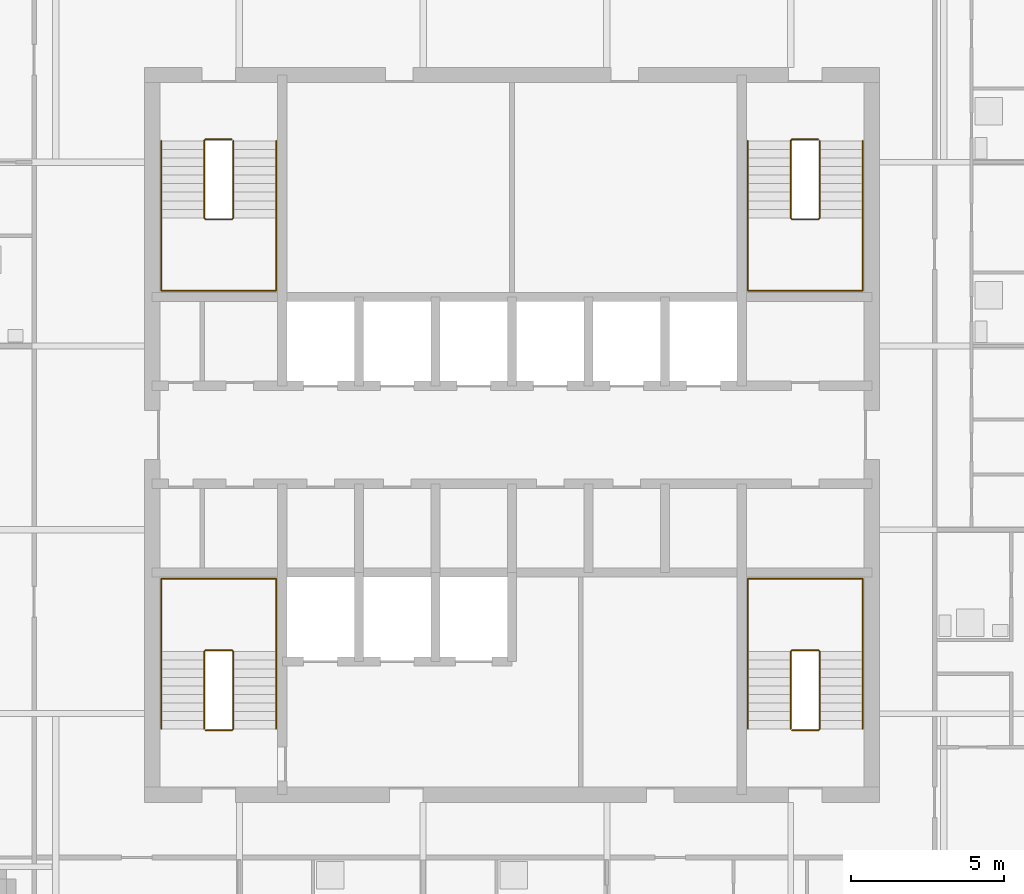
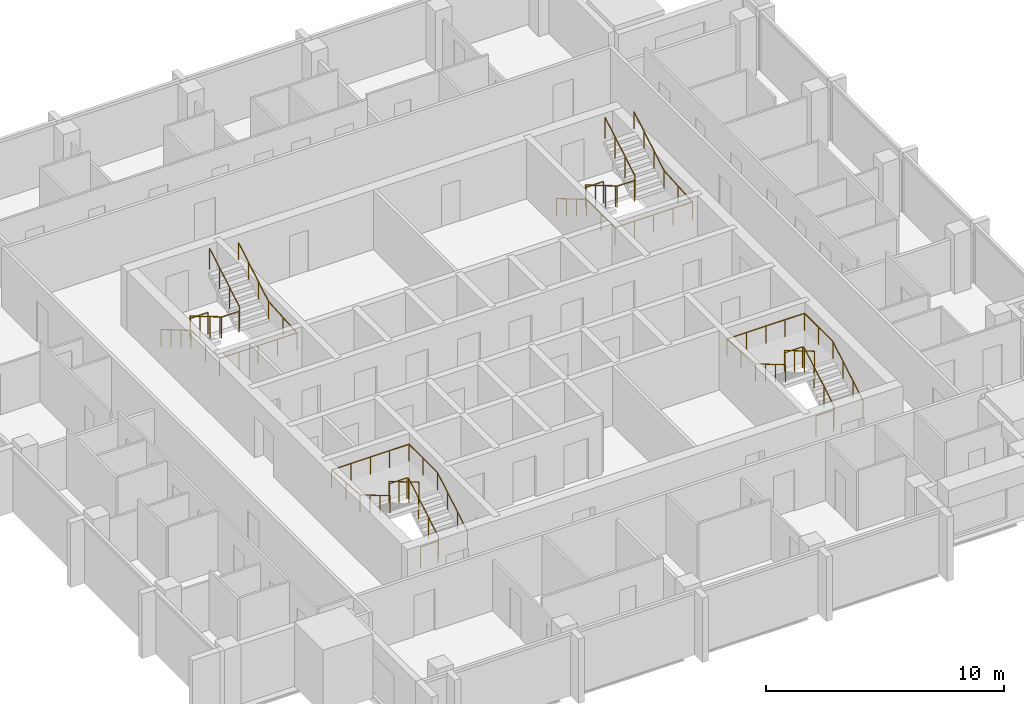
# One storey, part 9 of 10: 8 railings.
"""IFC4 building model written with IfcOpenShell, lengths in metres."""

from ifc_helpers import new_model, si_unit, direction, frame, origin, origin_2d, place, context, subcontext, project, spatial, circle, extrude, material, type_object, element, save


model = new_model("IFC4")

# Units and contexts
model_context = context("Model", 3, precision=1e-05, world=origin(), true_north=direction((0.0, 1.0)))
body_context = subcontext(model_context, "Body", "Model", "MODEL_VIEW")
ifc_project = project(units=[si_unit("LENGTHUNIT", "METRE"), si_unit("AREAUNIT", "SQUARE_METRE"), si_unit("VOLUMEUNIT", "CUBIC_METRE"), si_unit("PLANEANGLEUNIT", "RADIAN"), si_unit("MASSUNIT", "GRAM", prefix="KILO")], contexts=[model_context])

# Site, building, storey
site_placement = place(None, origin())
site = spatial("IfcSite", under=ifc_project, at=site_placement, CompositionType="ELEMENT")
building_placement = place(site_placement, origin())
building = spatial("IfcBuilding", under=site, at=building_placement, Name="Amberfall Residences", CompositionType="ELEMENT")
storey_placement = place(building_placement, frame((0.0, 0.0, 275.199951171875)))
storey = spatial("IfcBuildingStorey", under=building, at=storey_placement, Name="L74", CompositionType="ELEMENT", Elevation=275.199951171875)

# Railings
ifc_material = material(Name="Stainless steel 316", Category="steel")
railing_type_1 = type_object("IfcRailingType", Name="Stair guard 1100", PredefinedType="GUARDRAIL", material=ifc_material)
railing_1_placement = place(storey_placement, frame((64.5, 35.85009765625, 0.0)))
element("IfcRailing", 1, at=railing_1_placement, inside=storey, type_object=railing_type_1, Name="L74 stair 1 guard", PredefinedType="GUARDRAIL", context=body_context, shape_type="SweptSolid", body=[
    extrude(circle(Radius=0.02392578125, at=origin_2d()), frame((0.0, 0.0, 1.076171875), z_axis=(1.0, 0.0, 0.0), x_axis=(0.0, 1.0, 0.0)), (0.0, 0.0, 1.0), 0.85009765625),
    extrude(circle(Radius=0.02392578125, at=origin_2d()), frame((0.85009765625, 0.0, 1.076171875), z_axis=(0.27755538755, 0.27755538755, 0.919742362667), x_axis=(-0.707106781187, 0.707106781187, 0.0)), (0.0, 0.0, 1.0), 0.179443359375),
    extrude(circle(Radius=0.02392578125, at=origin_2d()), frame((0.89990234375, 0.0498046875, 1.2412109375), z_axis=(0.0, 0.86152411907, 0.507716645641), x_axis=(-1.0, 0.0, 0.0)), (0.0, 0.0, 1.0), 2.925048828125),
    extrude(circle(Radius=0.02392578125, at=origin_2d()), frame((0.89990234375, 2.56982421875, 2.72607421875), z_axis=(-0.705375805398, 0.708833529934, 0.0), x_axis=(-0.708833529934, -0.705375805398, 0.0)), (0.0, 0.0, 1.0), 0.070556640625),
    extrude(circle(Radius=0.02392578125, at=origin_2d()), frame((0.85009765625, 2.619873046875, 2.72607421875), z_axis=(-1.0, 0.0, 0.0), x_axis=(0.0, -1.0, 0.0)), (0.0, 0.0, 1.0), 0.85009765625),
    extrude(circle(Radius=0.02392578125, at=origin_2d()), frame((0.0, 2.619873046875, 2.72607421875), z_axis=(-0.279053652268, -0.279053652268, 0.918835196492), x_axis=(0.707106781187, -0.707106781187, 0.0)), (0.0, 0.0, 1.0), 0.179443359375),
    extrude(circle(Radius=0.02392578125, at=origin_2d()), frame((-0.050048828125, 2.56982421875, 2.89111328125), z_axis=(0.0, -0.86152411907, 0.507716645641), x_axis=(1.0, 0.0, 0.0)), (0.0, 0.0, 1.0), 2.925048828125),
    extrude(circle(Radius=0.02099609375, at=origin_2d()), origin(), (0.0, 0.0, 1.0), 1.052001953125),
    extrude(circle(Radius=0.02099609375, at=origin_2d()), frame((0.85009765625, 0.0, 0.0)), (0.0, 0.0, 1.0), 1.052001953125),
    extrude(circle(Radius=0.02099609375, at=origin_2d()), frame((0.89990234375, 0.0498046875, 0.1650390625)), (0.0, 0.0, 1.0), 1.052001953125),
    extrude(circle(Radius=0.02099609375, at=origin_2d()), frame((0.89990234375, 0.889892578125, 0.66015625)), (0.0, 0.0, 1.0), 1.052001953125),
    extrude(circle(Radius=0.02099609375, at=origin_2d()), frame((0.89990234375, 1.729736328125, 1.155029296875)), (0.0, 0.0, 1.0), 1.052001953125),
    extrude(circle(Radius=0.02099609375, at=origin_2d()), frame((0.89990234375, 2.56982421875, 1.650146484375)), (0.0, 0.0, 1.0), 1.052001953125),
    extrude(circle(Radius=0.02099609375, at=origin_2d()), frame((0.85009765625, 2.619873046875, 1.650146484375)), (0.0, 0.0, 1.0), 1.052001953125),
    extrude(circle(Radius=0.02099609375, at=origin_2d()), frame((0.0, 2.619873046875, 1.650146484375)), (0.0, 0.0, 1.0), 1.052001953125),
    extrude(circle(Radius=0.02099609375, at=origin_2d()), frame((-0.050048828125, 2.56982421875, 1.81494140625)), (0.0, 0.0, 1.0), 1.052001953125),
    extrude(circle(Radius=0.02099609375, at=origin_2d()), frame((-0.050048828125, 1.729736328125, 2.31005859375)), (0.0, 0.0, 1.0), 1.052001953125),
    extrude(circle(Radius=0.02099609375, at=origin_2d()), frame((-0.050048828125, 0.889892578125, 2.804931640625)), (0.0, 0.0, 1.0), 1.052001953125),
    extrude(circle(Radius=0.02099609375, at=origin_2d()), frame((-0.050048828125, 0.0498046875, 3.300048828125)), (0.0, 0.0, 1.0), 1.052001953125),
])
railing_2_placement = place(storey_placement, frame((83.64990234375, 35.85009765625, 0.0)))
element("IfcRailing", 2, at=railing_2_placement, inside=storey, type_object=railing_type_1, Name="L74 stair 2 guard", PredefinedType="GUARDRAIL", context=body_context, shape_type="SweptSolid", body=[
    extrude(circle(Radius=0.02392578125, at=origin_2d()), frame((0.0, 0.0, 1.076171875), z_axis=(1.0, 0.0, 0.0), x_axis=(0.0, 1.0, 0.0)), (0.0, 0.0, 1.0), 0.85009765625),
    extrude(circle(Radius=0.02392578125, at=origin_2d()), frame((0.85009765625, 0.0, 1.076171875), z_axis=(0.278810427259, 0.277450376394, 0.919394384522), x_axis=(-0.705375805398, 0.708833529934, 0.0)), (0.0, 0.0, 1.0), 0.179443359375),
    extrude(circle(Radius=0.02392578125, at=origin_2d()), frame((0.900146484375, 0.0498046875, 1.2412109375), z_axis=(0.0, 0.86152411907, 0.507716645641), x_axis=(-1.0, 0.0, 0.0)), (0.0, 0.0, 1.0), 2.925048828125),
    extrude(circle(Radius=0.02392578125, at=origin_2d()), frame((0.900146484375, 2.56982421875, 2.72607421875), z_axis=(-0.707106781187, 0.707106781187, 0.0), x_axis=(-0.707106781187, -0.707106781187, 0.0)), (0.0, 0.0, 1.0), 0.07080078125),
    extrude(circle(Radius=0.02392578125, at=origin_2d()), frame((0.85009765625, 2.619873046875, 2.72607421875), z_axis=(-1.0, 0.0, 0.0), x_axis=(0.0, -1.0, 0.0)), (0.0, 0.0, 1.0), 0.85009765625),
    extrude(circle(Radius=0.02392578125, at=origin_2d()), frame((0.0, 2.619873046875, 2.72607421875), z_axis=(-0.277797701265, -0.279159454702, 0.919183570361), x_axis=(0.708833529934, -0.705375805398, 0.0)), (0.0, 0.0, 1.0), 0.17919921875),
    extrude(circle(Radius=0.02392578125, at=origin_2d()), frame((-0.0498046875, 2.56982421875, 2.89111328125), z_axis=(0.0, -0.86152411907, 0.507716645641), x_axis=(1.0, 0.0, 0.0)), (0.0, 0.0, 1.0), 2.925048828125),
    extrude(circle(Radius=0.02099609375, at=origin_2d()), origin(), (0.0, 0.0, 1.0), 1.052001953125),
    extrude(circle(Radius=0.02099609375, at=origin_2d()), frame((0.85009765625, 0.0, 0.0)), (0.0, 0.0, 1.0), 1.052001953125),
    extrude(circle(Radius=0.02099609375, at=origin_2d()), frame((0.900146484375, 0.0498046875, 0.1650390625)), (0.0, 0.0, 1.0), 1.052001953125),
    extrude(circle(Radius=0.02099609375, at=origin_2d()), frame((0.900146484375, 0.889892578125, 0.66015625)), (0.0, 0.0, 1.0), 1.052001953125),
    extrude(circle(Radius=0.02099609375, at=origin_2d()), frame((0.900146484375, 1.729736328125, 1.155029296875)), (0.0, 0.0, 1.0), 1.052001953125),
    extrude(circle(Radius=0.02099609375, at=origin_2d()), frame((0.900146484375, 2.56982421875, 1.650146484375)), (0.0, 0.0, 1.0), 1.052001953125),
    extrude(circle(Radius=0.02099609375, at=origin_2d()), frame((0.85009765625, 2.619873046875, 1.650146484375)), (0.0, 0.0, 1.0), 1.052001953125),
    extrude(circle(Radius=0.02099609375, at=origin_2d()), frame((0.0, 2.619873046875, 1.650146484375)), (0.0, 0.0, 1.0), 1.052001953125),
    extrude(circle(Radius=0.02099609375, at=origin_2d()), frame((-0.0498046875, 2.56982421875, 1.81494140625)), (0.0, 0.0, 1.0), 1.052001953125),
    extrude(circle(Radius=0.02099609375, at=origin_2d()), frame((-0.0498046875, 1.729736328125, 2.31005859375)), (0.0, 0.0, 1.0), 1.052001953125),
    extrude(circle(Radius=0.02099609375, at=origin_2d()), frame((-0.0498046875, 0.889892578125, 2.804931640625)), (0.0, 0.0, 1.0), 1.052001953125),
    extrude(circle(Radius=0.02099609375, at=origin_2d()), frame((-0.0498046875, 0.0498046875, 3.300048828125)), (0.0, 0.0, 1.0), 1.052001953125),
])
railing_3_placement = place(storey_placement, frame((84.5, 55.14990234375, 0.0)))
element("IfcRailing", 3, at=railing_3_placement, inside=storey, type_object=railing_type_1, Name="L74 stair 3 guard", PredefinedType="GUARDRAIL", context=body_context, shape_type="SweptSolid", body=[
    extrude(circle(Radius=0.02392578125, at=origin_2d()), frame((0.0, 0.0, 1.076171875), z_axis=(-1.0, 0.0, 0.0), x_axis=(0.0, -1.0, 0.0)), (0.0, 0.0, 1.0), 0.85009765625),
    extrude(circle(Radius=0.02392578125, at=origin_2d()), frame((-0.85009765625, 0.0, 1.076171875), z_axis=(-0.27755538755, -0.27755538755, 0.919742362667), x_axis=(0.707106781187, -0.707106781187, 0.0)), (0.0, 0.0, 1.0), 0.179443359375),
    extrude(circle(Radius=0.02392578125, at=origin_2d()), frame((-0.89990234375, -0.0498046875, 1.2412109375), z_axis=(0.0, -0.86152411907, 0.507716645641), x_axis=(1.0, 0.0, 0.0)), (0.0, 0.0, 1.0), 2.925048828125),
    extrude(circle(Radius=0.02392578125, at=origin_2d()), frame((-0.89990234375, -2.56982421875, 2.72607421875), z_axis=(0.705375805398, -0.708833529934, 0.0), x_axis=(0.708833529934, 0.705375805398, 0.0)), (0.0, 0.0, 1.0), 0.070556640625),
    extrude(circle(Radius=0.02392578125, at=origin_2d()), frame((-0.85009765625, -2.619873046875, 2.72607421875), z_axis=(1.0, 0.0, 0.0), x_axis=(0.0, 1.0, 0.0)), (0.0, 0.0, 1.0), 0.85009765625),
    extrude(circle(Radius=0.02392578125, at=origin_2d()), frame((0.0, -2.619873046875, 2.72607421875), z_axis=(0.279053652268, 0.279053652268, 0.918835196492), x_axis=(-0.707106781187, 0.707106781187, 0.0)), (0.0, 0.0, 1.0), 0.179443359375),
    extrude(circle(Radius=0.02392578125, at=origin_2d()), frame((0.050048828125, -2.56982421875, 2.89111328125), z_axis=(0.0, 0.86152411907, 0.507716645641), x_axis=(-1.0, 0.0, 0.0)), (0.0, 0.0, 1.0), 2.925048828125),
    extrude(circle(Radius=0.02099609375, at=origin_2d()), origin(), (0.0, 0.0, 1.0), 1.052001953125),
    extrude(circle(Radius=0.02099609375, at=origin_2d()), frame((-0.85009765625, 0.0, 0.0)), (0.0, 0.0, 1.0), 1.052001953125),
    extrude(circle(Radius=0.02099609375, at=origin_2d()), frame((-0.89990234375, -0.0498046875, 0.1650390625)), (0.0, 0.0, 1.0), 1.052001953125),
    extrude(circle(Radius=0.02099609375, at=origin_2d()), frame((-0.89990234375, -0.889892578125, 0.66015625)), (0.0, 0.0, 1.0), 1.052001953125),
    extrude(circle(Radius=0.02099609375, at=origin_2d()), frame((-0.89990234375, -1.729736328125, 1.155029296875)), (0.0, 0.0, 1.0), 1.052001953125),
    extrude(circle(Radius=0.02099609375, at=origin_2d()), frame((-0.89990234375, -2.56982421875, 1.650146484375)), (0.0, 0.0, 1.0), 1.052001953125),
    extrude(circle(Radius=0.02099609375, at=origin_2d()), frame((-0.85009765625, -2.619873046875, 1.650146484375)), (0.0, 0.0, 1.0), 1.052001953125),
    extrude(circle(Radius=0.02099609375, at=origin_2d()), frame((0.0, -2.619873046875, 1.650146484375)), (0.0, 0.0, 1.0), 1.052001953125),
    extrude(circle(Radius=0.02099609375, at=origin_2d()), frame((0.050048828125, -2.56982421875, 1.81494140625)), (0.0, 0.0, 1.0), 1.052001953125),
    extrude(circle(Radius=0.02099609375, at=origin_2d()), frame((0.050048828125, -1.729736328125, 2.31005859375)), (0.0, 0.0, 1.0), 1.052001953125),
    extrude(circle(Radius=0.02099609375, at=origin_2d()), frame((0.050048828125, -0.889892578125, 2.804931640625)), (0.0, 0.0, 1.0), 1.052001953125),
    extrude(circle(Radius=0.02099609375, at=origin_2d()), frame((0.050048828125, -0.0498046875, 3.300048828125)), (0.0, 0.0, 1.0), 1.052001953125),
])
railing_4_placement = place(storey_placement, frame((65.35009765625, 55.14990234375, 0.0)))
element("IfcRailing", 4, at=railing_4_placement, inside=storey, type_object=railing_type_1, Name="L74 stair 4 guard", PredefinedType="GUARDRAIL", context=body_context, shape_type="SweptSolid", body=[
    extrude(circle(Radius=0.02392578125, at=origin_2d()), frame((0.0, 0.0, 1.076171875), z_axis=(-1.0, 0.0, 0.0), x_axis=(0.0, -1.0, 0.0)), (0.0, 0.0, 1.0), 0.85009765625),
    extrude(circle(Radius=0.02392578125, at=origin_2d()), frame((-0.85009765625, 0.0, 1.076171875), z_axis=(-0.278810427259, -0.277450376394, 0.919394384522), x_axis=(0.705375805398, -0.708833529934, 0.0)), (0.0, 0.0, 1.0), 0.179443359375),
    extrude(circle(Radius=0.02392578125, at=origin_2d()), frame((-0.900146484375, -0.0498046875, 1.2412109375), z_axis=(0.0, -0.86152411907, 0.507716645641), x_axis=(1.0, 0.0, 0.0)), (0.0, 0.0, 1.0), 2.925048828125),
    extrude(circle(Radius=0.02392578125, at=origin_2d()), frame((-0.900146484375, -2.56982421875, 2.72607421875), z_axis=(0.707106781187, -0.707106781187, 0.0), x_axis=(0.707106781187, 0.707106781187, 0.0)), (0.0, 0.0, 1.0), 0.07080078125),
    extrude(circle(Radius=0.02392578125, at=origin_2d()), frame((-0.85009765625, -2.619873046875, 2.72607421875), z_axis=(1.0, 0.0, 0.0), x_axis=(0.0, 1.0, 0.0)), (0.0, 0.0, 1.0), 0.85009765625),
    extrude(circle(Radius=0.02392578125, at=origin_2d()), frame((0.0, -2.619873046875, 2.72607421875), z_axis=(0.277797701265, 0.279159454702, 0.919183570361), x_axis=(-0.708833529934, 0.705375805398, 0.0)), (0.0, 0.0, 1.0), 0.17919921875),
    extrude(circle(Radius=0.02392578125, at=origin_2d()), frame((0.0498046875, -2.56982421875, 2.89111328125), z_axis=(0.0, 0.86152411907, 0.507716645641), x_axis=(-1.0, 0.0, 0.0)), (0.0, 0.0, 1.0), 2.925048828125),
    extrude(circle(Radius=0.02099609375, at=origin_2d()), origin(), (0.0, 0.0, 1.0), 1.052001953125),
    extrude(circle(Radius=0.02099609375, at=origin_2d()), frame((-0.85009765625, 0.0, 0.0)), (0.0, 0.0, 1.0), 1.052001953125),
    extrude(circle(Radius=0.02099609375, at=origin_2d()), frame((-0.900146484375, -0.0498046875, 0.1650390625)), (0.0, 0.0, 1.0), 1.052001953125),
    extrude(circle(Radius=0.02099609375, at=origin_2d()), frame((-0.900146484375, -0.889892578125, 0.66015625)), (0.0, 0.0, 1.0), 1.052001953125),
    extrude(circle(Radius=0.02099609375, at=origin_2d()), frame((-0.900146484375, -1.729736328125, 1.155029296875)), (0.0, 0.0, 1.0), 1.052001953125),
    extrude(circle(Radius=0.02099609375, at=origin_2d()), frame((-0.900146484375, -2.56982421875, 1.650146484375)), (0.0, 0.0, 1.0), 1.052001953125),
    extrude(circle(Radius=0.02099609375, at=origin_2d()), frame((-0.85009765625, -2.619873046875, 1.650146484375)), (0.0, 0.0, 1.0), 1.052001953125),
    extrude(circle(Radius=0.02099609375, at=origin_2d()), frame((0.0, -2.619873046875, 1.650146484375)), (0.0, 0.0, 1.0), 1.052001953125),
    extrude(circle(Radius=0.02099609375, at=origin_2d()), frame((0.0498046875, -2.56982421875, 1.81494140625)), (0.0, 0.0, 1.0), 1.052001953125),
    extrude(circle(Radius=0.02099609375, at=origin_2d()), frame((0.0498046875, -1.729736328125, 2.31005859375)), (0.0, 0.0, 1.0), 1.052001953125),
    extrude(circle(Radius=0.02099609375, at=origin_2d()), frame((0.0498046875, -0.889892578125, 2.804931640625)), (0.0, 0.0, 1.0), 1.052001953125),
    extrude(circle(Radius=0.02099609375, at=origin_2d()), frame((0.0498046875, -0.0498046875, 3.300048828125)), (0.0, 0.0, 1.0), 1.052001953125),
])
railing_type_2 = type_object("IfcRailingType", Name="Stair handrail 900", PredefinedType="HANDRAIL", material=ifc_material)
railing_5_placement = place(storey_placement, frame((66.800048828125, 35.89990234375, 0.1650390625)))
element("IfcRailing", 5, at=railing_5_placement, inside=storey, type_object=railing_type_2, Name="L74 stair 1 handrail", PredefinedType="HANDRAIL", context=body_context, shape_type="SweptSolid", body=[
    extrude(circle(Radius=0.02392578125, at=origin_2d()), frame((0.0, 0.0, 0.8759765625), z_axis=(0.0, 0.86152411907, 0.507716645641), x_axis=(-1.0, 0.0, 0.0)), (0.0, 0.0, 1.0), 2.925048828125),
    extrude(circle(Radius=0.02392578125, at=origin_2d()), frame((0.0, 2.52001953125, 2.36083984375), z_axis=(0.0, 1.0, 0.0), x_axis=(-1.0, 0.0, 0.0)), (0.0, 0.0, 1.0), 2.380126953125),
    extrude(circle(Radius=0.02392578125, at=origin_2d()), frame((0.0, 4.900146484375, 2.36083984375), z_axis=(-1.0, 0.0, 0.0), x_axis=(0.0, -1.0, 0.0)), (0.0, 0.0, 1.0), 3.75),
    extrude(circle(Radius=0.02392578125, at=origin_2d()), frame((-3.75, 4.900146484375, 2.36083984375), z_axis=(0.0, -0.997611642348, 0.069072505753), x_axis=(1.0, 0.0, 0.0)), (0.0, 0.0, 1.0), 2.3857421875),
    extrude(circle(Radius=0.02392578125, at=origin_2d()), frame((-3.75, 2.52001953125, 2.52587890625), z_axis=(0.0, -0.86152411907, 0.507716645641), x_axis=(1.0, 0.0, 0.0)), (0.0, 0.0, 1.0), 2.925048828125),
    extrude(circle(Radius=0.02099609375, at=origin_2d()), origin(), (0.0, 0.0, 1.0), 0.851806640625),
    extrude(circle(Radius=0.02099609375, at=origin_2d()), frame((0.0, 0.840087890625, 0.4951171875)), (0.0, 0.0, 1.0), 0.851806640625),
    extrude(circle(Radius=0.02099609375, at=origin_2d()), frame((0.0, 1.679931640625, 0.989990234375)), (0.0, 0.0, 1.0), 0.851806640625),
    extrude(circle(Radius=0.02099609375, at=origin_2d()), frame((0.0, 2.52001953125, 1.485107421875)), (0.0, 0.0, 1.0), 0.851806640625),
    extrude(circle(Radius=0.02099609375, at=origin_2d()), frame((0.0, 3.7099609375, 1.485107421875)), (0.0, 0.0, 1.0), 0.851806640625),
    extrude(circle(Radius=0.02099609375, at=origin_2d()), frame((0.0, 4.900146484375, 1.485107421875)), (0.0, 0.0, 1.0), 0.851806640625),
    extrude(circle(Radius=0.02099609375, at=origin_2d()), frame((-0.9375, 4.900146484375, 1.485107421875)), (0.0, 0.0, 1.0), 0.851806640625),
    extrude(circle(Radius=0.02099609375, at=origin_2d()), frame((-1.875, 4.900146484375, 1.485107421875)), (0.0, 0.0, 1.0), 0.851806640625),
    extrude(circle(Radius=0.02099609375, at=origin_2d()), frame((-2.8125, 4.900146484375, 1.485107421875)), (0.0, 0.0, 1.0), 0.851806640625),
    extrude(circle(Radius=0.02099609375, at=origin_2d()), frame((-3.75, 4.900146484375, 1.485107421875)), (0.0, 0.0, 1.0), 0.851806640625),
    extrude(circle(Radius=0.02099609375, at=origin_2d()), frame((-3.75, 3.7099609375, 1.5673828125)), (0.0, 0.0, 1.0), 0.851806640625),
    extrude(circle(Radius=0.02099609375, at=origin_2d()), frame((-3.75, 2.52001953125, 1.64990234375)), (0.0, 0.0, 1.0), 0.851806640625),
    extrude(circle(Radius=0.02099609375, at=origin_2d()), frame((-3.75, 1.679931640625, 2.14501953125)), (0.0, 0.0, 1.0), 0.851806640625),
    extrude(circle(Radius=0.02099609375, at=origin_2d()), frame((-3.75, 0.840087890625, 2.639892578125)), (0.0, 0.0, 1.0), 0.851806640625),
    extrude(circle(Radius=0.02099609375, at=origin_2d()), frame((-3.75, 0.0, 3.135009765625)), (0.0, 0.0, 1.0), 0.851806640625),
])
railing_6_placement = place(storey_placement, frame((85.949951171875, 35.89990234375, 0.1650390625)))
element("IfcRailing", 6, at=railing_6_placement, inside=storey, type_object=railing_type_2, Name="L74 stair 2 handrail", PredefinedType="HANDRAIL", context=body_context, shape_type="SweptSolid", body=[
    extrude(circle(Radius=0.02392578125, at=origin_2d()), frame((0.0, 0.0, 0.8759765625), z_axis=(0.0, 0.86152411907, 0.507716645641), x_axis=(-1.0, 0.0, 0.0)), (0.0, 0.0, 1.0), 2.925048828125),
    extrude(circle(Radius=0.02392578125, at=origin_2d()), frame((0.0, 2.52001953125, 2.36083984375), z_axis=(0.0, 1.0, 0.0), x_axis=(-1.0, 0.0, 0.0)), (0.0, 0.0, 1.0), 2.380126953125),
    extrude(circle(Radius=0.02392578125, at=origin_2d()), frame((0.0, 4.900146484375, 2.36083984375), z_axis=(-1.0, 0.0, 0.0), x_axis=(0.0, -1.0, 0.0)), (0.0, 0.0, 1.0), 3.75),
    extrude(circle(Radius=0.02392578125, at=origin_2d()), frame((-3.75, 4.900146484375, 2.36083984375), z_axis=(0.0, -0.997611642348, 0.069072505753), x_axis=(1.0, 0.0, 0.0)), (0.0, 0.0, 1.0), 2.3857421875),
    extrude(circle(Radius=0.02392578125, at=origin_2d()), frame((-3.75, 2.52001953125, 2.52587890625), z_axis=(0.0, -0.86152411907, 0.507716645641), x_axis=(1.0, 0.0, 0.0)), (0.0, 0.0, 1.0), 2.925048828125),
    extrude(circle(Radius=0.02099609375, at=origin_2d()), origin(), (0.0, 0.0, 1.0), 0.851806640625),
    extrude(circle(Radius=0.02099609375, at=origin_2d()), frame((0.0, 0.840087890625, 0.4951171875)), (0.0, 0.0, 1.0), 0.851806640625),
    extrude(circle(Radius=0.02099609375, at=origin_2d()), frame((0.0, 1.679931640625, 0.989990234375)), (0.0, 0.0, 1.0), 0.851806640625),
    extrude(circle(Radius=0.02099609375, at=origin_2d()), frame((0.0, 2.52001953125, 1.485107421875)), (0.0, 0.0, 1.0), 0.851806640625),
    extrude(circle(Radius=0.02099609375, at=origin_2d()), frame((0.0, 3.7099609375, 1.485107421875)), (0.0, 0.0, 1.0), 0.851806640625),
    extrude(circle(Radius=0.02099609375, at=origin_2d()), frame((0.0, 4.900146484375, 1.485107421875)), (0.0, 0.0, 1.0), 0.851806640625),
    extrude(circle(Radius=0.02099609375, at=origin_2d()), frame((-0.9375, 4.900146484375, 1.485107421875)), (0.0, 0.0, 1.0), 0.851806640625),
    extrude(circle(Radius=0.02099609375, at=origin_2d()), frame((-1.875, 4.900146484375, 1.485107421875)), (0.0, 0.0, 1.0), 0.851806640625),
    extrude(circle(Radius=0.02099609375, at=origin_2d()), frame((-2.8125, 4.900146484375, 1.485107421875)), (0.0, 0.0, 1.0), 0.851806640625),
    extrude(circle(Radius=0.02099609375, at=origin_2d()), frame((-3.75, 4.900146484375, 1.485107421875)), (0.0, 0.0, 1.0), 0.851806640625),
    extrude(circle(Radius=0.02099609375, at=origin_2d()), frame((-3.75, 3.7099609375, 1.5673828125)), (0.0, 0.0, 1.0), 0.851806640625),
    extrude(circle(Radius=0.02099609375, at=origin_2d()), frame((-3.75, 2.52001953125, 1.64990234375)), (0.0, 0.0, 1.0), 0.851806640625),
    extrude(circle(Radius=0.02099609375, at=origin_2d()), frame((-3.75, 1.679931640625, 2.14501953125)), (0.0, 0.0, 1.0), 0.851806640625),
    extrude(circle(Radius=0.02099609375, at=origin_2d()), frame((-3.75, 0.840087890625, 2.639892578125)), (0.0, 0.0, 1.0), 0.851806640625),
    extrude(circle(Radius=0.02099609375, at=origin_2d()), frame((-3.75, 0.0, 3.135009765625)), (0.0, 0.0, 1.0), 0.851806640625),
])
railing_7_placement = place(storey_placement, frame((82.199951171875, 55.10009765625, 0.1650390625)))
element("IfcRailing", 7, at=railing_7_placement, inside=storey, type_object=railing_type_2, Name="L74 stair 3 handrail", PredefinedType="HANDRAIL", context=body_context, shape_type="SweptSolid", body=[
    extrude(circle(Radius=0.02392578125, at=origin_2d()), frame((0.0, 0.0, 0.8759765625), z_axis=(0.0, -0.86152411907, 0.507716645641), x_axis=(1.0, 0.0, 0.0)), (0.0, 0.0, 1.0), 2.925048828125),
    extrude(circle(Radius=0.02392578125, at=origin_2d()), frame((0.0, -2.52001953125, 2.36083984375), z_axis=(0.0, -1.0, 0.0), x_axis=(1.0, 0.0, 0.0)), (0.0, 0.0, 1.0), 2.380126953125),
    extrude(circle(Radius=0.02392578125, at=origin_2d()), frame((0.0, -4.900146484375, 2.36083984375), z_axis=(1.0, 0.0, 0.0), x_axis=(0.0, 1.0, 0.0)), (0.0, 0.0, 1.0), 3.75),
    extrude(circle(Radius=0.02392578125, at=origin_2d()), frame((3.75, -4.900146484375, 2.36083984375), z_axis=(0.0, 0.997611642348, 0.069072505753), x_axis=(-1.0, 0.0, 0.0)), (0.0, 0.0, 1.0), 2.3857421875),
    extrude(circle(Radius=0.02392578125, at=origin_2d()), frame((3.75, -2.52001953125, 2.52587890625), z_axis=(0.0, 0.86152411907, 0.507716645641), x_axis=(-1.0, 0.0, 0.0)), (0.0, 0.0, 1.0), 2.925048828125),
    extrude(circle(Radius=0.02099609375, at=origin_2d()), origin(), (0.0, 0.0, 1.0), 0.851806640625),
    extrude(circle(Radius=0.02099609375, at=origin_2d()), frame((0.0, -0.840087890625, 0.4951171875)), (0.0, 0.0, 1.0), 0.851806640625),
    extrude(circle(Radius=0.02099609375, at=origin_2d()), frame((0.0, -1.679931640625, 0.989990234375)), (0.0, 0.0, 1.0), 0.851806640625),
    extrude(circle(Radius=0.02099609375, at=origin_2d()), frame((0.0, -2.52001953125, 1.485107421875)), (0.0, 0.0, 1.0), 0.851806640625),
    extrude(circle(Radius=0.02099609375, at=origin_2d()), frame((0.0, -3.7099609375, 1.485107421875)), (0.0, 0.0, 1.0), 0.851806640625),
    extrude(circle(Radius=0.02099609375, at=origin_2d()), frame((0.0, -4.900146484375, 1.485107421875)), (0.0, 0.0, 1.0), 0.851806640625),
    extrude(circle(Radius=0.02099609375, at=origin_2d()), frame((0.9375, -4.900146484375, 1.485107421875)), (0.0, 0.0, 1.0), 0.851806640625),
    extrude(circle(Radius=0.02099609375, at=origin_2d()), frame((1.875, -4.900146484375, 1.485107421875)), (0.0, 0.0, 1.0), 0.851806640625),
    extrude(circle(Radius=0.02099609375, at=origin_2d()), frame((2.8125, -4.900146484375, 1.485107421875)), (0.0, 0.0, 1.0), 0.851806640625),
    extrude(circle(Radius=0.02099609375, at=origin_2d()), frame((3.75, -4.900146484375, 1.485107421875)), (0.0, 0.0, 1.0), 0.851806640625),
    extrude(circle(Radius=0.02099609375, at=origin_2d()), frame((3.75, -3.7099609375, 1.5673828125)), (0.0, 0.0, 1.0), 0.851806640625),
    extrude(circle(Radius=0.02099609375, at=origin_2d()), frame((3.75, -2.52001953125, 1.64990234375)), (0.0, 0.0, 1.0), 0.851806640625),
    extrude(circle(Radius=0.02099609375, at=origin_2d()), frame((3.75, -1.679931640625, 2.14501953125)), (0.0, 0.0, 1.0), 0.851806640625),
    extrude(circle(Radius=0.02099609375, at=origin_2d()), frame((3.75, -0.840087890625, 2.639892578125)), (0.0, 0.0, 1.0), 0.851806640625),
    extrude(circle(Radius=0.02099609375, at=origin_2d()), frame((3.75, 0.0, 3.135009765625)), (0.0, 0.0, 1.0), 0.851806640625),
])
railing_8_placement = place(storey_placement, frame((63.050048828125, 55.10009765625, 0.1650390625)))
element("IfcRailing", 8, at=railing_8_placement, inside=storey, type_object=railing_type_2, Name="L74 stair 4 handrail", PredefinedType="HANDRAIL", context=body_context, shape_type="SweptSolid", body=[
    extrude(circle(Radius=0.02392578125, at=origin_2d()), frame((0.0, 0.0, 0.8759765625), z_axis=(0.0, -0.86152411907, 0.507716645641), x_axis=(1.0, 0.0, 0.0)), (0.0, 0.0, 1.0), 2.925048828125),
    extrude(circle(Radius=0.02392578125, at=origin_2d()), frame((0.0, -2.52001953125, 2.36083984375), z_axis=(0.0, -1.0, 0.0), x_axis=(1.0, 0.0, 0.0)), (0.0, 0.0, 1.0), 2.380126953125),
    extrude(circle(Radius=0.02392578125, at=origin_2d()), frame((0.0, -4.900146484375, 2.36083984375), z_axis=(1.0, 0.0, 0.0), x_axis=(0.0, 1.0, 0.0)), (0.0, 0.0, 1.0), 3.75),
    extrude(circle(Radius=0.02392578125, at=origin_2d()), frame((3.75, -4.900146484375, 2.36083984375), z_axis=(0.0, 0.997611642348, 0.069072505753), x_axis=(-1.0, 0.0, 0.0)), (0.0, 0.0, 1.0), 2.3857421875),
    extrude(circle(Radius=0.02392578125, at=origin_2d()), frame((3.75, -2.52001953125, 2.52587890625), z_axis=(0.0, 0.86152411907, 0.507716645641), x_axis=(-1.0, 0.0, 0.0)), (0.0, 0.0, 1.0), 2.925048828125),
    extrude(circle(Radius=0.02099609375, at=origin_2d()), origin(), (0.0, 0.0, 1.0), 0.851806640625),
    extrude(circle(Radius=0.02099609375, at=origin_2d()), frame((0.0, -0.840087890625, 0.4951171875)), (0.0, 0.0, 1.0), 0.851806640625),
    extrude(circle(Radius=0.02099609375, at=origin_2d()), frame((0.0, -1.679931640625, 0.989990234375)), (0.0, 0.0, 1.0), 0.851806640625),
    extrude(circle(Radius=0.02099609375, at=origin_2d()), frame((0.0, -2.52001953125, 1.485107421875)), (0.0, 0.0, 1.0), 0.851806640625),
    extrude(circle(Radius=0.02099609375, at=origin_2d()), frame((0.0, -3.7099609375, 1.485107421875)), (0.0, 0.0, 1.0), 0.851806640625),
    extrude(circle(Radius=0.02099609375, at=origin_2d()), frame((0.0, -4.900146484375, 1.485107421875)), (0.0, 0.0, 1.0), 0.851806640625),
    extrude(circle(Radius=0.02099609375, at=origin_2d()), frame((0.9375, -4.900146484375, 1.485107421875)), (0.0, 0.0, 1.0), 0.851806640625),
    extrude(circle(Radius=0.02099609375, at=origin_2d()), frame((1.875, -4.900146484375, 1.485107421875)), (0.0, 0.0, 1.0), 0.851806640625),
    extrude(circle(Radius=0.02099609375, at=origin_2d()), frame((2.8125, -4.900146484375, 1.485107421875)), (0.0, 0.0, 1.0), 0.851806640625),
    extrude(circle(Radius=0.02099609375, at=origin_2d()), frame((3.75, -4.900146484375, 1.485107421875)), (0.0, 0.0, 1.0), 0.851806640625),
    extrude(circle(Radius=0.02099609375, at=origin_2d()), frame((3.75, -3.7099609375, 1.5673828125)), (0.0, 0.0, 1.0), 0.851806640625),
    extrude(circle(Radius=0.02099609375, at=origin_2d()), frame((3.75, -2.52001953125, 1.64990234375)), (0.0, 0.0, 1.0), 0.851806640625),
    extrude(circle(Radius=0.02099609375, at=origin_2d()), frame((3.75, -1.679931640625, 2.14501953125)), (0.0, 0.0, 1.0), 0.851806640625),
    extrude(circle(Radius=0.02099609375, at=origin_2d()), frame((3.75, -0.840087890625, 2.639892578125)), (0.0, 0.0, 1.0), 0.851806640625),
    extrude(circle(Radius=0.02099609375, at=origin_2d()), frame((3.75, 0.0, 3.135009765625)), (0.0, 0.0, 1.0), 0.851806640625),
])

save(model, "model.ifc")
